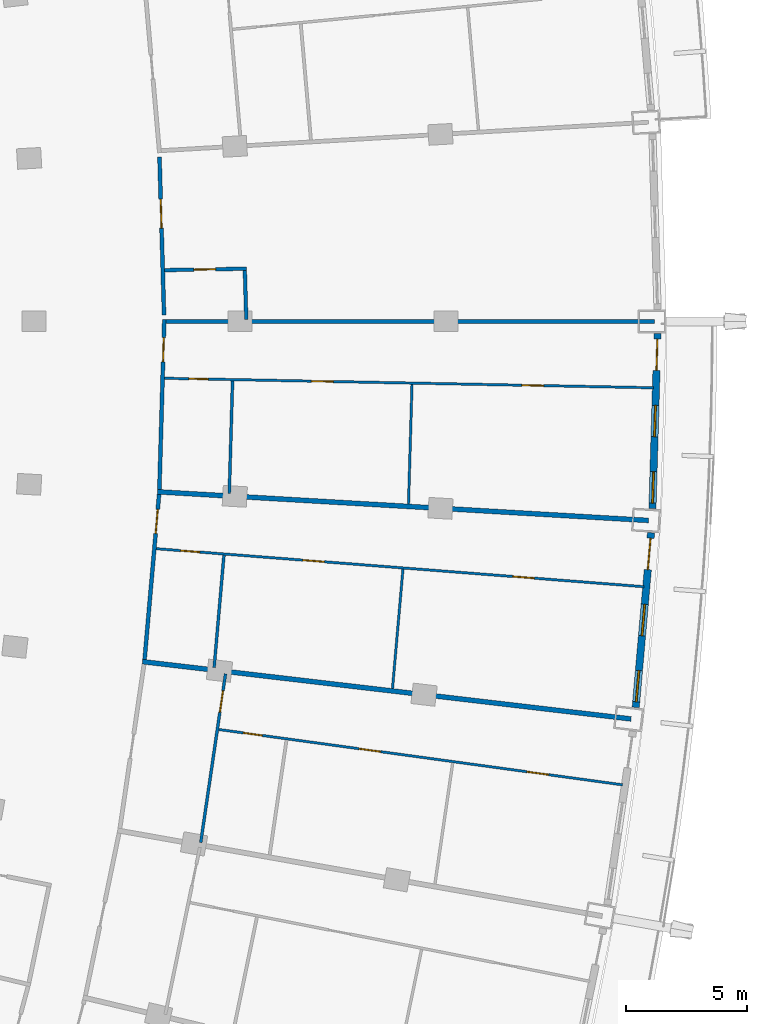
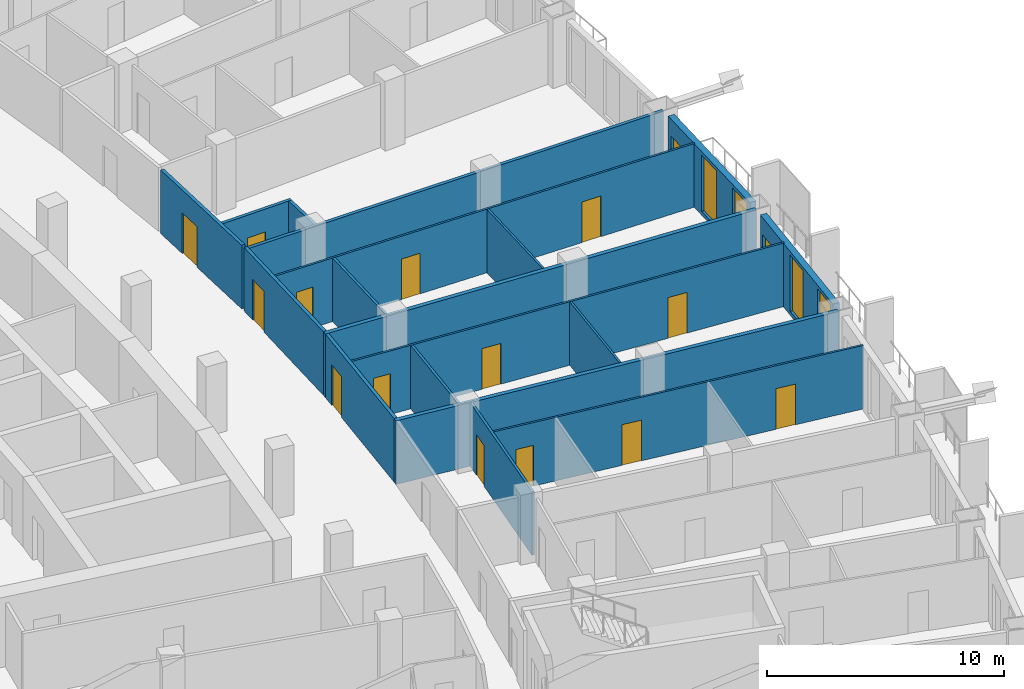
# One storey, part 14 of 23: 18 walls, 16 doors, 4 windows, 20 openings.
"""IFC4 building model written with IfcOpenShell, lengths in metres."""

from ifc_helpers import new_model, si_unit, direction, frame, frame_2d, origin, place, context, subcontext, project, spatial, rectangle, extrude, material, layer, layer_set, type_object, element, fill, save


model = new_model("IFC4")

# Units and contexts
model_context = context("Model", 3, precision=1e-05, world=origin(), true_north=direction((0.0, 1.0)))
body_context = subcontext(model_context, "Body", "Model", "MODEL_VIEW")
ifc_project = project(units=[si_unit("LENGTHUNIT", "METRE"), si_unit("AREAUNIT", "SQUARE_METRE"), si_unit("VOLUMEUNIT", "CUBIC_METRE"), si_unit("PLANEANGLEUNIT", "RADIAN"), si_unit("MASSUNIT", "GRAM", prefix="KILO")], contexts=[model_context])

# Site, building, storey
site_placement = place(None, origin())
site = spatial("IfcSite", under=ifc_project, at=site_placement, CompositionType="ELEMENT")
building_placement = place(site_placement, origin())
building = spatial("IfcBuilding", under=site, at=building_placement, Name="Alderwake Tower", CompositionType="ELEMENT")
storey_placement = place(building_placement, frame((0.0, 0.0, 100.39990234375)))
storey = spatial("IfcBuildingStorey", under=building, at=storey_placement, Name="L24", CompositionType="ELEMENT", Elevation=100.39990234375)

# Wall, opening, door
ifc_material_1 = material(Name="Gypsum board on metal studs, rated")
ifc_layer_1 = layer(ifc_material_1, 0.159912109375)
ifc_layer_set_1 = layer_set([ifc_layer_1], Name="Corridor wall 160")
wall_type_1 = type_object("IfcWallType", Name="Corridor wall 160", PredefinedType="PARTITIONING", material=ifc_layer_set_1)
wall_1_placement = place(storey_placement, frame((40.986328125, 53.834228515625, 0.0), z_axis=(0.0, 0.0, 1.0), x_axis=(-0.087448731147, -0.996169021512, 0.0)))
wall_1 = element("IfcWall", 1, at=wall_1_placement, inside=storey, type_object=wall_type_1, Name="WL/L24/W40", PredefinedType="PARTITIONING", context=body_context, shape_type="SweptSolid", body=[
    extrude(rectangle(XDim=6.867919921875, YDim=0.159912109375, at=frame_2d((3.43408203125, 0.0))), origin(), (0.0, 0.0, 1.0), 3.280029296875),
])
opening_1_placement = place(wall_1_placement, frame((0.628173828125, 0.0, 0.0)))
opening_1 = element("IfcOpeningElement", 2, at=opening_1_placement, cuts=wall_1, Name="Opening R06-U07.2", PredefinedType="OPENING", context=body_context, shape_type="SweptSolid", body=[
    extrude(rectangle(XDim=1.0, YDim=2.10009765625, at=frame_2d((0.5, 1.050048828125))), frame((0.0, 0.08984375, 0.0), z_axis=(0.0, -1.0, 0.0), x_axis=(1.0, 0.0, 0.0)), (0.0, 0.0, 1.0), 0.179931640625),
])
ifc_material_2 = material(Name="Solid timber leaf in steel frame", Category="steel")
door_type_1 = type_object("IfcDoorType", Name="Flat entrance door 1000 fire-rated", OperationType="SINGLE_SWING_LEFT", PredefinedType="DOOR", material=ifc_material_2)
door_1_placement = place(opening_1_placement, origin())
door_1 = element("IfcDoor", 3, at=door_1_placement, inside=storey, type_object=door_type_1, Name="DR/L24/U07.2", OperationType="SINGLE_SWING_LEFT", OverallHeight=2.10009765625, OverallWidth=1.0, PredefinedType="DOOR", context=body_context, shape_type="SweptSolid", body=[
    extrude(rectangle(XDim=1.0, YDim=2.10009765625, at=frame_2d((0.5, 1.050048828125))), frame((0.0, 0.02490234375, 0.0), z_axis=(0.0, -1.0, 0.0), x_axis=(1.0, 0.0, 0.0)), (0.0, 0.0, 1.0), 0.050048828125),
])
fill(opening_1, door_1)

wall_2_placement = place(storey_placement, frame((41.201416015625, 61.0791015625, 0.0), z_axis=(0.0, 0.0, 1.0), x_axis=(-0.028889070526, -0.999582623701, 0.0)))
wall_2 = element("IfcWall", 4, at=wall_2_placement, inside=storey, type_object=wall_type_1, Name="WL/L24/W41", PredefinedType="PARTITIONING", context=body_context, shape_type="SweptSolid", body=[
    extrude(rectangle(XDim=7.048095703125, YDim=0.159912109375, at=frame_2d((3.52392578125, 0.0))), origin(), (0.0, 0.0, 1.0), 3.280029296875),
])
opening_2_placement = place(wall_2_placement, frame((0.757080078125, 0.0, 0.0)))
opening_2 = element("IfcOpeningElement", 5, at=opening_2_placement, cuts=wall_2, Name="Opening R06-U08.2", PredefinedType="OPENING", context=body_context, shape_type="SweptSolid", body=[
    extrude(rectangle(XDim=1.0, YDim=2.10009765625, at=frame_2d((0.5, 1.050048828125))), frame((0.0, 0.08984375, 0.0), z_axis=(0.0, -1.0, 0.0), x_axis=(1.0, 0.0, 0.0)), (0.0, 0.0, 1.0), 0.179931640625),
])
door_2_placement = place(opening_2_placement, origin())
door_2 = element("IfcDoor", 6, at=door_2_placement, inside=storey, type_object=door_type_1, Name="DR/L24/U08.2", OperationType="SINGLE_SWING_LEFT", OverallHeight=2.10009765625, OverallWidth=1.0, PredefinedType="DOOR", context=body_context, shape_type="SweptSolid", body=[
    extrude(rectangle(XDim=1.0, YDim=2.10009765625, at=frame_2d((0.5, 1.050048828125))), frame((0.0, 0.02490234375, 0.0), z_axis=(0.0, -1.0, 0.0), x_axis=(1.0, 0.0, 0.0)), (0.0, 0.0, 1.0), 0.050048828125),
])
fill(opening_2, door_2)

wall_3_placement = place(storey_placement, frame((41.002685546875, 67.80029296875, 0.0), z_axis=(0.0, 0.0, 1.0), x_axis=(0.02886788617, -0.999583235728, 0.0)))
wall_3 = element("IfcWall", 7, at=wall_3_placement, inside=storey, type_object=wall_type_1, Name="WL/L24/W43", PredefinedType="PARTITIONING", context=body_context, shape_type="SweptSolid", body=[
    extrude(rectangle(XDim=6.537353515625, YDim=0.159912109375, at=frame_2d((3.2685546875, 0.0))), origin(), (0.0, 0.0, 1.0), 3.280029296875),
])
opening_3_placement = place(wall_3_placement, frame((1.7412109375, 0.0, 0.0)))
opening_3 = element("IfcOpeningElement", 8, at=opening_3_placement, cuts=wall_3, Name="Opening R06-AM1.1", PredefinedType="OPENING", context=body_context, shape_type="SweptSolid", body=[
    extrude(rectangle(XDim=1.199951171875, YDim=2.10009765625, at=frame_2d((0.60009765625, 1.050048828125))), frame((0.0, 0.08984375, 0.0), z_axis=(0.0, -1.0, 0.0), x_axis=(1.0, 0.0, 0.0)), (0.0, 0.0, 1.0), 0.179931640625),
])
ifc_material_3 = material(Name="Steel-framed fire door leaf", Category="steel")
door_type_2 = type_object("IfcDoorType", Name="Lobby door 1200 fire-rated", OperationType="SINGLE_SWING_LEFT", PredefinedType="DOOR", material=ifc_material_3)
door_3_placement = place(opening_3_placement, origin())
door_3 = element("IfcDoor", 9, at=door_3_placement, inside=storey, type_object=door_type_2, Name="DR/L24/AM1.1", OperationType="SINGLE_SWING_LEFT", OverallHeight=2.10009765625, OverallWidth=1.199951171875, PredefinedType="DOOR", context=body_context, shape_type="SweptSolid", body=[
    extrude(rectangle(XDim=1.199951171875, YDim=2.10009765625, at=frame_2d((0.60009765625, 1.050048828125))), frame((0.0, 0.02490234375, 0.0), z_axis=(0.0, -1.0, 0.0), x_axis=(1.0, 0.0, 0.0)), (0.0, 0.0, 1.0), 0.050048828125),
])
fill(opening_3, door_3)

# Wall
wall_4_placement = place(storey_placement, frame((61.5, 60.9990234375, 0.0), z_axis=(0.0, 0.0, 1.0), x_axis=(-1.0, 0.0, 0.0)))
element("IfcWall", 10, at=wall_4_placement, inside=storey, type_object=wall_type_1, Name="WL/L24/W45", PredefinedType="PARTITIONING", context=body_context, shape_type="SweptSolid", body=[
    extrude(rectangle(XDim=20.220947265625, YDim=0.159912109375, at=frame_2d((10.1103515625, 0.0))), origin(), (0.0, 0.0, 1.0), 3.280029296875),
])

# Wall, openings, door, windows
ifc_material_4 = material(Name="Precast concrete C50/60 spandrel panel", Category="concrete")
ifc_layer_2 = layer(ifc_material_4, 0.300048828125)
ifc_layer_set_2 = layer_set([ifc_layer_2], Name="External wall EW1 Precast concrete C50/60 spandrel")
wall_type_2 = type_object("IfcWallType", Name="External wall EW1 Precast concrete C50/60 spandrel", PredefinedType="SOLIDWALL", material=ifc_layer_set_2)
wall_5_placement = place(storey_placement, frame((60.730712890625, 45.008544921875, 0.0), z_axis=(0.0, 0.0, 1.0), x_axis=(0.087383747715, 0.996174723949, 0.0)))
wall_5 = element("IfcWall", 11, at=wall_5_placement, inside=storey, type_object=wall_type_2, Name="External wall 15", PredefinedType="SOLIDWALL", context=body_context, shape_type="SweptSolid", body=[
    extrude(rectangle(XDim=7.26416015625, YDim=0.300048828125, at=frame_2d((3.632080078125, 0.0))), origin(), (0.0, 0.0, 1.0), 3.280029296875),
])
opening_4_placement = place(wall_5_placement, frame((0.23291015625, 0.0, 0.199951171875)))
opening_4 = element("IfcOpeningElement", 12, at=opening_4_placement, cuts=wall_5, Name="Opening W1", PredefinedType="OPENING", context=body_context, shape_type="SweptSolid", body=[
    extrude(rectangle(XDim=1.300048828125, YDim=2.89990234375, at=frame_2d((0.64990234375, 1.449951171875))), frame((0.0, 0.159912109375, 0.0), z_axis=(0.0, -1.0, 0.0), x_axis=(1.0, 0.0, 0.0)), (0.0, 0.0, 1.0), 0.320068359375),
])
opening_5_placement = place(wall_5_placement, frame((2.98193359375, 0.0, 0.199951171875)))
opening_5 = element("IfcOpeningElement", 13, at=opening_5_placement, cuts=wall_5, Name="Opening W1", PredefinedType="OPENING", context=body_context, shape_type="SweptSolid", body=[
    extrude(rectangle(XDim=1.300048828125, YDim=2.89990234375, at=frame_2d((0.64990234375, 1.449951171875))), frame((0.0, 0.159912109375, 0.0), z_axis=(0.0, -1.0, 0.0), x_axis=(1.0, 0.0, 0.0)), (0.0, 0.0, 1.0), 0.320068359375),
])
opening_6_placement = place(wall_5_placement, frame((5.731201171875, 0.0, 0.0)))
opening_6 = element("IfcOpeningElement", 14, at=opening_6_placement, cuts=wall_5, Name="Opening D06", PredefinedType="OPENING", context=body_context, shape_type="SweptSolid", body=[
    extrude(rectangle(XDim=1.300048828125, YDim=2.39990234375, at=frame_2d((0.64990234375, 1.199951171875))), frame((0.0, 0.159912109375, 0.0), z_axis=(0.0, -1.0, 0.0), x_axis=(1.0, 0.0, 0.0)), (0.0, 0.0, 1.0), 0.320068359375),
])
ifc_material_5 = material(Name="Bronze tinted glass in aluminium frame", Category="aluminium")
door_type_3 = type_object("IfcDoorType", Name="Balcony door BD sliding", OperationType="SLIDING_TO_LEFT", PredefinedType="DOOR", material=ifc_material_5)
door_4_placement = place(opening_6_placement, origin())
door_4 = element("IfcDoor", 15, at=door_4_placement, inside=storey, type_object=door_type_3, Name="Door D06", OperationType="SLIDING_TO_LEFT", OverallHeight=2.39990234375, OverallWidth=1.300048828125, PredefinedType="DOOR", context=body_context, shape_type="SweptSolid", body=[
    extrude(rectangle(XDim=1.300048828125, YDim=2.39990234375, at=frame_2d((0.64990234375, 1.199951171875))), frame((0.0, 0.02490234375, 0.0), z_axis=(0.0, -1.0, 0.0), x_axis=(1.0, 0.0, 0.0)), (0.0, 0.0, 1.0), 0.050048828125),
])
fill(opening_6, door_4)
ifc_material_6 = material(Name="Bronze tinted glass in aluminium frame", Category="aluminium")
window_type = type_object("IfcWindowType", Name="Window W1 tall fixed and vent", PartitioningType="DOUBLE_PANEL_VERTICAL", PredefinedType="WINDOW", material=ifc_material_6)
window_1_placement = place(opening_4_placement, origin())
window_1 = element("IfcWindow", 16, at=window_1_placement, inside=storey, type_object=window_type, Name="Window W1 tall fixed and vent", OverallHeight=2.89990234375, OverallWidth=1.300048828125, PartitioningType="DOUBLE_PANEL_VERTICAL", PredefinedType="WINDOW", context=body_context, shape_type="SweptSolid", body=[
    extrude(rectangle(XDim=1.300048828125, YDim=2.89990234375, at=frame_2d((0.64990234375, 1.449951171875))), frame((0.0, 0.030029296875, 0.0), z_axis=(0.0, -1.0, 0.0), x_axis=(1.0, 0.0, 0.0)), (0.0, 0.0, 1.0), 0.06005859375),
])
fill(opening_4, window_1)
window_2_placement = place(opening_5_placement, origin())
window_2 = element("IfcWindow", 17, at=window_2_placement, inside=storey, type_object=window_type, Name="Window W1 tall fixed and vent", OverallHeight=2.89990234375, OverallWidth=1.300048828125, PartitioningType="DOUBLE_PANEL_VERTICAL", PredefinedType="WINDOW", context=body_context, shape_type="SweptSolid", body=[
    extrude(rectangle(XDim=1.300048828125, YDim=2.89990234375, at=frame_2d((0.64990234375, 1.449951171875))), frame((0.0, 0.030029296875, 0.0), z_axis=(0.0, -1.0, 0.0), x_axis=(1.0, 0.0, 0.0)), (0.0, 0.0, 1.0), 0.06005859375),
])
fill(opening_5, window_2)

wall_6_placement = place(storey_placement, frame((61.423583984375, 53.240478515625, 0.0), z_axis=(0.0, 0.0, 1.0), x_axis=(0.029172877937, 0.999574381021, 0.0)))
wall_6 = element("IfcWall", 18, at=wall_6_placement, inside=storey, type_object=wall_type_2, Name="External wall 16", PredefinedType="SOLIDWALL", context=body_context, shape_type="SweptSolid", body=[
    extrude(rectangle(XDim=7.26416015625, YDim=0.300048828125, at=frame_2d((3.632080078125, 0.0))), origin(), (0.0, 0.0, 1.0), 3.280029296875),
])
opening_7_placement = place(wall_6_placement, frame((0.23291015625, 0.0, 0.199951171875)))
opening_7 = element("IfcOpeningElement", 19, at=opening_7_placement, cuts=wall_6, Name="Opening W1", PredefinedType="OPENING", context=body_context, shape_type="SweptSolid", body=[
    extrude(rectangle(XDim=1.300048828125, YDim=2.89990234375, at=frame_2d((0.64990234375, 1.449951171875))), frame((0.0, 0.159912109375, 0.0), z_axis=(0.0, -1.0, 0.0), x_axis=(1.0, 0.0, 0.0)), (0.0, 0.0, 1.0), 0.320068359375),
])
opening_8_placement = place(wall_6_placement, frame((2.98193359375, 0.0, 0.199951171875)))
opening_8 = element("IfcOpeningElement", 20, at=opening_8_placement, cuts=wall_6, Name="Opening W1", PredefinedType="OPENING", context=body_context, shape_type="SweptSolid", body=[
    extrude(rectangle(XDim=1.300048828125, YDim=2.89990234375, at=frame_2d((0.64990234375, 1.449951171875))), frame((0.0, 0.159912109375, 0.0), z_axis=(0.0, -1.0, 0.0), x_axis=(1.0, 0.0, 0.0)), (0.0, 0.0, 1.0), 0.320068359375),
])
opening_9_placement = place(wall_6_placement, frame((5.731201171875, 0.0, 0.0)))
opening_9 = element("IfcOpeningElement", 21, at=opening_9_placement, cuts=wall_6, Name="Opening D07", PredefinedType="OPENING", context=body_context, shape_type="SweptSolid", body=[
    extrude(rectangle(XDim=1.300048828125, YDim=2.39990234375, at=frame_2d((0.64990234375, 1.199951171875))), frame((0.0, 0.159912109375, 0.0), z_axis=(0.0, -1.0, 0.0), x_axis=(1.0, 0.0, 0.0)), (0.0, 0.0, 1.0), 0.320068359375),
])
door_5_placement = place(opening_9_placement, origin())
door_5 = element("IfcDoor", 22, at=door_5_placement, inside=storey, type_object=door_type_3, Name="Door D07", OperationType="SLIDING_TO_LEFT", OverallHeight=2.39990234375, OverallWidth=1.300048828125, PredefinedType="DOOR", context=body_context, shape_type="SweptSolid", body=[
    extrude(rectangle(XDim=1.300048828125, YDim=2.39990234375, at=frame_2d((0.64990234375, 1.199951171875))), frame((0.0, 0.02490234375, 0.0), z_axis=(0.0, -1.0, 0.0), x_axis=(1.0, 0.0, 0.0)), (0.0, 0.0, 1.0), 0.050048828125),
])
fill(opening_9, door_5)
window_3_placement = place(opening_7_placement, origin())
window_3 = element("IfcWindow", 23, at=window_3_placement, inside=storey, type_object=window_type, Name="Window W1 tall fixed and vent", OverallHeight=2.89990234375, OverallWidth=1.300048828125, PartitioningType="DOUBLE_PANEL_VERTICAL", PredefinedType="WINDOW", context=body_context, shape_type="SweptSolid", body=[
    extrude(rectangle(XDim=1.300048828125, YDim=2.89990234375, at=frame_2d((0.64990234375, 1.449951171875))), frame((0.0, 0.030029296875, 0.0), z_axis=(0.0, -1.0, 0.0), x_axis=(1.0, 0.0, 0.0)), (0.0, 0.0, 1.0), 0.06005859375),
])
fill(opening_7, window_3)
window_4_placement = place(opening_8_placement, origin())
window_4 = element("IfcWindow", 24, at=window_4_placement, inside=storey, type_object=window_type, Name="Window W1 tall fixed and vent", OverallHeight=2.89990234375, OverallWidth=1.300048828125, PartitioningType="DOUBLE_PANEL_VERTICAL", PredefinedType="WINDOW", context=body_context, shape_type="SweptSolid", body=[
    extrude(rectangle(XDim=1.300048828125, YDim=2.89990234375, at=frame_2d((0.64990234375, 1.449951171875))), frame((0.0, 0.030029296875, 0.0), z_axis=(0.0, -1.0, 0.0), x_axis=(1.0, 0.0, 0.0)), (0.0, 0.0, 1.0), 0.06005859375),
])
fill(opening_8, window_4)

# Walls
ifc_material_7 = material(Name="Dense block masonry wall", Category="masonry")
ifc_layer_3 = layer(ifc_material_7, 0.199951171875)
ifc_layer_set_3 = layer_set([ifc_layer_3], Name="Party wall 200")
wall_type_3 = type_object("IfcWallType", Name="Party wall 200", PredefinedType="SOLIDWALL", material=ifc_layer_set_3)
wall_7_placement = place(storey_placement, frame((60.537109375, 44.529052734375, 0.0), z_axis=(0.0, 0.0, 1.0), x_axis=(-0.99319510115, 0.11646240188, 0.0)))
element("IfcWall", 25, at=wall_7_placement, inside=storey, type_object=wall_type_3, Name="WL/L24/W11", PredefinedType="SOLIDWALL", context=body_context, shape_type="SweptSolid", body=[
    extrude(rectangle(XDim=20.378173828125, YDim=0.199951171875, at=frame_2d((10.18896484375, 0.0))), origin(), (0.0, 0.0, 1.0), 3.280029296875),
])
wall_8_placement = place(storey_placement, frame((61.260009765625, 52.751953125, 0.0), z_axis=(0.0, 0.0, 1.0), x_axis=(-0.998303004761, 0.058233243807, 0.0)))
element("IfcWall", 26, at=wall_8_placement, inside=storey, type_object=wall_type_3, Name="WL/L24/W13", PredefinedType="SOLIDWALL", context=body_context, shape_type="SweptSolid", body=[
    extrude(rectangle(XDim=20.379638671875, YDim=0.199951171875, at=frame_2d((10.18994140625, 0.0))), origin(), (0.0, 0.0, 1.0), 3.280029296875),
])

# Wall, opening, door
ifc_material_8 = material(Name="Gypsum shaft wall system, rated")
ifc_layer_4 = layer(ifc_material_8, 0.14990234375)
ifc_layer_set_4 = layer_set([ifc_layer_4], Name="Riser and shaft wall 150")
wall_type_4 = type_object("IfcWallType", Name="Riser and shaft wall 150", PredefinedType="PARTITIONING", material=ifc_layer_set_4)
wall_9_placement = place(storey_placement, frame((44.610107421875, 63.181396484375, 0.0), z_axis=(0.0, 0.0, 1.0), x_axis=(-0.999843204507, -0.017707806214, 0.0)))
wall_9 = element("IfcWall", 27, at=wall_9_placement, inside=storey, type_object=wall_type_4, Name="WL/L24/W16", PredefinedType="PARTITIONING", context=body_context, shape_type="SweptSolid", body=[
    extrude(rectangle(XDim=3.3916015625, YDim=0.14990234375, at=frame_2d((1.69580078125, 0.0))), origin(), (0.0, 0.0, 1.0), 3.280029296875),
])
opening_10_placement = place(wall_9_placement, frame((1.28271484375, 0.0, 0.0)))
opening_10 = element("IfcOpeningElement", 28, at=opening_10_placement, cuts=wall_9, Name="Opening R06-AM1.2", PredefinedType="OPENING", context=body_context, shape_type="SweptSolid", body=[
    extrude(rectangle(XDim=0.89990234375, YDim=2.10009765625, at=frame_2d((0.449951171875, 1.050048828125))), frame((0.0, 0.0849609375, 0.0), z_axis=(0.0, -1.0, 0.0), x_axis=(1.0, 0.0, 0.0)), (0.0, 0.0, 1.0), 0.169921875),
])
ifc_material_9 = material(Name="Painted timber leaf", Category="wood")
door_type_4 = type_object("IfcDoorType", Name="Room door 900", OperationType="SINGLE_SWING_LEFT", PredefinedType="DOOR", material=ifc_material_9)
door_6_placement = place(opening_10_placement, origin())
door_6 = element("IfcDoor", 29, at=door_6_placement, inside=storey, type_object=door_type_4, Name="DR/L24/AM1.2", OperationType="SINGLE_SWING_LEFT", OverallHeight=2.10009765625, OverallWidth=0.89990234375, PredefinedType="DOOR", context=body_context, shape_type="SweptSolid", body=[
    extrude(rectangle(XDim=0.89990234375, YDim=2.10009765625, at=frame_2d((0.449951171875, 1.050048828125))), frame((0.0, 0.02490234375, 0.0), z_axis=(0.0, -1.0, 0.0), x_axis=(1.0, 0.0, 0.0)), (0.0, 0.0, 1.0), 0.050048828125),
])
fill(opening_10, door_6)

# Wall
wall_10_placement = place(storey_placement, frame((44.5986328125, 61.0791015625, 0.0), z_axis=(0.0, 0.0, 1.0), x_axis=(-0.030234424158, 0.999542835298, 0.0)))
element("IfcWall", 30, at=wall_10_placement, inside=storey, type_object=wall_type_4, Name="WL/L24/W17", PredefinedType="PARTITIONING", context=body_context, shape_type="SweptSolid", body=[
    extrude(rectangle(XDim=2.02685546875, YDim=0.14990234375, at=frame_2d((1.013427734375, 0.0))), origin(), (0.0, 0.0, 1.0), 3.280029296875),
])

# Wall, openings, doors
ifc_material_10 = material(Name="Gypsum board on metal studs")
ifc_layer_5 = layer(ifc_material_10, 0.10009765625)
ifc_layer_set_5 = layer_set([ifc_layer_5], Name="Unit partition 100")
wall_type_5 = type_object("IfcWallType", Name="Unit partition 100", PredefinedType="PARTITIONING", material=ifc_layer_set_5)
wall_11_placement = place(storey_placement, frame((61.068115234375, 50.007080078125, 0.0), z_axis=(0.0, 0.0, 1.0), x_axis=(-0.996975284787, 0.077719248089, 0.0)))
wall_11 = element("IfcWall", 31, at=wall_11_placement, inside=storey, type_object=wall_type_5, Name="WL/L24/W73", PredefinedType="PARTITIONING", context=body_context, shape_type="SweptSolid", body=[
    extrude(rectangle(XDim=20.261474609375, YDim=0.10009765625, at=frame_2d((10.130859375, 0.0))), origin(), (0.0, 0.0, 1.0), 3.280029296875),
])
opening_11_placement = place(wall_11_placement, frame((13.2744140625, 0.0, 0.0)))
opening_11 = element("IfcOpeningElement", 32, at=opening_11_placement, cuts=wall_11, Name="Opening R06-U07.1", PredefinedType="OPENING", context=body_context, shape_type="SweptSolid", body=[
    extrude(rectangle(XDim=0.89990234375, YDim=2.10009765625, at=frame_2d((0.449951171875, 1.050048828125))), frame((0.0, 0.06005859375, 0.0), z_axis=(0.0, -1.0, 0.0), x_axis=(1.0, 0.0, 0.0)), (0.0, 0.0, 1.0), 0.1201171875),
])
opening_12_placement = place(wall_11_placement, frame((18.4521484375, 0.0, 0.0)))
opening_12 = element("IfcOpeningElement", 33, at=opening_12_placement, cuts=wall_11, Name="Opening R06-U07.3", PredefinedType="OPENING", context=body_context, shape_type="SweptSolid", body=[
    extrude(rectangle(XDim=0.800048828125, YDim=2.10009765625, at=frame_2d((0.39990234375, 1.050048828125))), frame((0.0, 0.06005859375, 0.0), z_axis=(0.0, -1.0, 0.0), x_axis=(1.0, 0.0, 0.0)), (0.0, 0.0, 1.0), 0.1201171875),
])
opening_13_placement = place(wall_11_placement, frame((4.552978515625, 0.0, 0.0)))
opening_13 = element("IfcOpeningElement", 34, at=opening_13_placement, cuts=wall_11, Name="Opening R06-U07.4", PredefinedType="OPENING", context=body_context, shape_type="SweptSolid", body=[
    extrude(rectangle(XDim=0.89990234375, YDim=2.10009765625, at=frame_2d((0.449951171875, 1.050048828125))), frame((0.0, 0.06005859375, 0.0), z_axis=(0.0, -1.0, 0.0), x_axis=(1.0, 0.0, 0.0)), (0.0, 0.0, 1.0), 0.1201171875),
])
ifc_material_11 = material(Name="Painted timber leaf", Category="wood")
door_type_5 = type_object("IfcDoorType", Name="Bathroom door 800", OperationType="SINGLE_SWING_LEFT", PredefinedType="DOOR", material=ifc_material_11)
door_7_placement = place(opening_12_placement, origin())
door_7 = element("IfcDoor", 35, at=door_7_placement, inside=storey, type_object=door_type_5, Name="DR/L24/U07.3", OperationType="SINGLE_SWING_LEFT", OverallHeight=2.10009765625, OverallWidth=0.800048828125, PredefinedType="DOOR", context=body_context, shape_type="SweptSolid", body=[
    extrude(rectangle(XDim=0.800048828125, YDim=2.10009765625, at=frame_2d((0.39990234375, 1.050048828125))), frame((0.0, 0.02490234375, 0.0), z_axis=(0.0, -1.0, 0.0), x_axis=(1.0, 0.0, 0.0)), (0.0, 0.0, 1.0), 0.050048828125),
])
fill(opening_12, door_7)
door_8_placement = place(opening_11_placement, origin())
door_8 = element("IfcDoor", 36, at=door_8_placement, inside=storey, type_object=door_type_4, Name="DR/L24/U07.1", OperationType="SINGLE_SWING_LEFT", OverallHeight=2.10009765625, OverallWidth=0.89990234375, PredefinedType="DOOR", context=body_context, shape_type="SweptSolid", body=[
    extrude(rectangle(XDim=0.89990234375, YDim=2.10009765625, at=frame_2d((0.449951171875, 1.050048828125))), frame((0.0, 0.02490234375, 0.0), z_axis=(0.0, -1.0, 0.0), x_axis=(1.0, 0.0, 0.0)), (0.0, 0.0, 1.0), 0.050048828125),
])
fill(opening_11, door_8)
door_9_placement = place(opening_13_placement, origin())
door_9 = element("IfcDoor", 37, at=door_9_placement, inside=storey, type_object=door_type_4, Name="DR/L24/U07.4", OperationType="SINGLE_SWING_LEFT", OverallHeight=2.10009765625, OverallWidth=0.89990234375, PredefinedType="DOOR", context=body_context, shape_type="SweptSolid", body=[
    extrude(rectangle(XDim=0.89990234375, YDim=2.10009765625, at=frame_2d((0.449951171875, 1.050048828125))), frame((0.0, 0.02490234375, 0.0), z_axis=(0.0, -1.0, 0.0), x_axis=(1.0, 0.0, 0.0)), (0.0, 0.0, 1.0), 0.050048828125),
])
fill(opening_13, door_9)

wall_12_placement = place(storey_placement, frame((61.469970703125, 58.248046875, 0.0), z_axis=(0.0, 0.0, 1.0), x_axis=(-0.999810681734, 0.019457664048, 0.0)))
wall_12 = element("IfcWall", 38, at=wall_12_placement, inside=storey, type_object=wall_type_5, Name="WL/L24/W74", PredefinedType="PARTITIONING", context=body_context, shape_type="SweptSolid", body=[
    extrude(rectangle(XDim=20.263916015625, YDim=0.10009765625, at=frame_2d((10.1318359375, 0.0))), origin(), (0.0, 0.0, 1.0), 3.280029296875),
])
opening_14_placement = place(wall_12_placement, frame((13.275390625, 0.0, 0.0)))
opening_14 = element("IfcOpeningElement", 39, at=opening_14_placement, cuts=wall_12, Name="Opening R06-U08.1", PredefinedType="OPENING", context=body_context, shape_type="SweptSolid", body=[
    extrude(rectangle(XDim=0.89990234375, YDim=2.10009765625, at=frame_2d((0.449951171875, 1.050048828125))), frame((0.0, 0.06005859375, 0.0), z_axis=(0.0, -1.0, 0.0), x_axis=(1.0, 0.0, 0.0)), (0.0, 0.0, 1.0), 0.1201171875),
])
opening_15_placement = place(wall_12_placement, frame((18.453857421875, 0.0, 0.0)))
opening_15 = element("IfcOpeningElement", 40, at=opening_15_placement, cuts=wall_12, Name="Opening R06-U08.3", PredefinedType="OPENING", context=body_context, shape_type="SweptSolid", body=[
    extrude(rectangle(XDim=0.800048828125, YDim=2.10009765625, at=frame_2d((0.39990234375, 1.050048828125))), frame((0.0, 0.06005859375, 0.0), z_axis=(0.0, -1.0, 0.0), x_axis=(1.0, 0.0, 0.0)), (0.0, 0.0, 1.0), 0.1201171875),
])
opening_16_placement = place(wall_12_placement, frame((4.5537109375, 0.0, 0.0)))
opening_16 = element("IfcOpeningElement", 41, at=opening_16_placement, cuts=wall_12, Name="Opening R06-U08.4", PredefinedType="OPENING", context=body_context, shape_type="SweptSolid", body=[
    extrude(rectangle(XDim=0.89990234375, YDim=2.10009765625, at=frame_2d((0.449951171875, 1.050048828125))), frame((0.0, 0.06005859375, 0.0), z_axis=(0.0, -1.0, 0.0), x_axis=(1.0, 0.0, 0.0)), (0.0, 0.0, 1.0), 0.1201171875),
])
door_10_placement = place(opening_15_placement, origin())
door_10 = element("IfcDoor", 42, at=door_10_placement, inside=storey, type_object=door_type_5, Name="DR/L24/U08.3", OperationType="SINGLE_SWING_LEFT", OverallHeight=2.10009765625, OverallWidth=0.800048828125, PredefinedType="DOOR", context=body_context, shape_type="SweptSolid", body=[
    extrude(rectangle(XDim=0.800048828125, YDim=2.10009765625, at=frame_2d((0.39990234375, 1.050048828125))), frame((0.0, 0.02490234375, 0.0), z_axis=(0.0, -1.0, 0.0), x_axis=(1.0, 0.0, 0.0)), (0.0, 0.0, 1.0), 0.050048828125),
])
fill(opening_15, door_10)
door_11_placement = place(opening_14_placement, origin())
door_11 = element("IfcDoor", 43, at=door_11_placement, inside=storey, type_object=door_type_4, Name="DR/L24/U08.1", OperationType="SINGLE_SWING_LEFT", OverallHeight=2.10009765625, OverallWidth=0.89990234375, PredefinedType="DOOR", context=body_context, shape_type="SweptSolid", body=[
    extrude(rectangle(XDim=0.89990234375, YDim=2.10009765625, at=frame_2d((0.449951171875, 1.050048828125))), frame((0.0, 0.02490234375, 0.0), z_axis=(0.0, -1.0, 0.0), x_axis=(1.0, 0.0, 0.0)), (0.0, 0.0, 1.0), 0.050048828125),
])
fill(opening_14, door_11)
door_12_placement = place(opening_16_placement, origin())
door_12 = element("IfcDoor", 44, at=door_12_placement, inside=storey, type_object=door_type_4, Name="DR/L24/U08.4", OperationType="SINGLE_SWING_LEFT", OverallHeight=2.10009765625, OverallWidth=0.89990234375, PredefinedType="DOOR", context=body_context, shape_type="SweptSolid", body=[
    extrude(rectangle(XDim=0.89990234375, YDim=2.10009765625, at=frame_2d((0.449951171875, 1.050048828125))), frame((0.0, 0.02490234375, 0.0), z_axis=(0.0, -1.0, 0.0), x_axis=(1.0, 0.0, 0.0)), (0.0, 0.0, 1.0), 0.050048828125),
])
fill(opening_16, door_12)

wall_13_placement = place(storey_placement, frame((60.18896484375, 41.799072265625, 0.0), z_axis=(0.0, 0.0, 1.0), x_axis=(-0.99073825803, 0.135785507606, 0.0)))
wall_13 = element("IfcWall", 45, at=wall_13_placement, inside=storey, type_object=wall_type_5, Name="WL/L24/W77", PredefinedType="PARTITIONING", context=body_context, shape_type="SweptSolid", body=[
    extrude(rectangle(XDim=16.885009765625, YDim=0.10009765625, at=frame_2d((8.4423828125, 0.0))), origin(), (0.0, 0.0, 1.0), 3.280029296875),
])
opening_17_placement = place(wall_13_placement, frame((10.12109375, 0.0, 0.0)))
opening_17 = element("IfcOpeningElement", 46, at=opening_17_placement, cuts=wall_13, Name="Opening R06-U06.1", PredefinedType="OPENING", context=body_context, shape_type="SweptSolid", body=[
    extrude(rectangle(XDim=0.89990234375, YDim=2.10009765625, at=frame_2d((0.449951171875, 1.050048828125))), frame((0.0, 0.06005859375, 0.0), z_axis=(0.0, -1.0, 0.0), x_axis=(1.0, 0.0, 0.0)), (0.0, 0.0, 1.0), 0.1201171875),
])
opening_18_placement = place(wall_13_placement, frame((15.0654296875, 0.0, 0.0)))
opening_18 = element("IfcOpeningElement", 47, at=opening_18_placement, cuts=wall_13, Name="Opening R06-U06.4", PredefinedType="OPENING", context=body_context, shape_type="SweptSolid", body=[
    extrude(rectangle(XDim=0.800048828125, YDim=2.10009765625, at=frame_2d((0.39990234375, 1.050048828125))), frame((0.0, 0.06005859375, 0.0), z_axis=(0.0, -1.0, 0.0), x_axis=(1.0, 0.0, 0.0)), (0.0, 0.0, 1.0), 0.1201171875),
])
opening_19_placement = place(wall_13_placement, frame((3.098876953125, 0.0, 0.0)))
opening_19 = element("IfcOpeningElement", 48, at=opening_19_placement, cuts=wall_13, Name="Opening R06-U06.5", PredefinedType="OPENING", context=body_context, shape_type="SweptSolid", body=[
    extrude(rectangle(XDim=0.89990234375, YDim=2.10009765625, at=frame_2d((0.449951171875, 1.050048828125))), frame((0.0, 0.06005859375, 0.0), z_axis=(0.0, -1.0, 0.0), x_axis=(1.0, 0.0, 0.0)), (0.0, 0.0, 1.0), 0.1201171875),
])
door_13_placement = place(opening_18_placement, origin())
door_13 = element("IfcDoor", 49, at=door_13_placement, inside=storey, type_object=door_type_5, Name="DR/L24/U06.4", OperationType="SINGLE_SWING_LEFT", OverallHeight=2.10009765625, OverallWidth=0.800048828125, PredefinedType="DOOR", context=body_context, shape_type="SweptSolid", body=[
    extrude(rectangle(XDim=0.800048828125, YDim=2.10009765625, at=frame_2d((0.39990234375, 1.050048828125))), frame((0.0, 0.02490234375, 0.0), z_axis=(0.0, -1.0, 0.0), x_axis=(1.0, 0.0, 0.0)), (0.0, 0.0, 1.0), 0.050048828125),
])
fill(opening_18, door_13)
door_14_placement = place(opening_17_placement, origin())
door_14 = element("IfcDoor", 50, at=door_14_placement, inside=storey, type_object=door_type_4, Name="DR/L24/U06.1", OperationType="SINGLE_SWING_LEFT", OverallHeight=2.10009765625, OverallWidth=0.89990234375, PredefinedType="DOOR", context=body_context, shape_type="SweptSolid", body=[
    extrude(rectangle(XDim=0.89990234375, YDim=2.10009765625, at=frame_2d((0.449951171875, 1.050048828125))), frame((0.0, 0.02490234375, 0.0), z_axis=(0.0, -1.0, 0.0), x_axis=(1.0, 0.0, 0.0)), (0.0, 0.0, 1.0), 0.050048828125),
])
fill(opening_17, door_14)
door_15_placement = place(opening_19_placement, origin())
door_15 = element("IfcDoor", 51, at=door_15_placement, inside=storey, type_object=door_type_4, Name="DR/L24/U06.5", OperationType="SINGLE_SWING_LEFT", OverallHeight=2.10009765625, OverallWidth=0.89990234375, PredefinedType="DOOR", context=body_context, shape_type="SweptSolid", body=[
    extrude(rectangle(XDim=0.89990234375, YDim=2.10009765625, at=frame_2d((0.449951171875, 1.050048828125))), frame((0.0, 0.02490234375, 0.0), z_axis=(0.0, -1.0, 0.0), x_axis=(1.0, 0.0, 0.0)), (0.0, 0.0, 1.0), 0.050048828125),
])
fill(opening_19, door_15)

# Walls
wall_14_placement = place(storey_placement, frame((50.65478515625, 45.789794921875, 0.0), z_axis=(0.0, 0.0, 1.0), x_axis=(0.087408582497, 0.996172545148, 0.0)))
element("IfcWall", 52, at=wall_14_placement, inside=storey, type_object=wall_type_5, Name="WL/L24/W81", PredefinedType="PARTITIONING", context=body_context, shape_type="SweptSolid", body=[
    extrude(rectangle(XDim=4.96337890625, YDim=0.10009765625, at=frame_2d((2.481689453125, 0.0))), origin(), (0.0, 0.0, 1.0), 3.280029296875),
])
wall_15_placement = place(storey_placement, frame((51.31787109375, 53.430908203125, 0.0), z_axis=(0.0, 0.0, 1.0), x_axis=(0.029310894204, 0.999570343438, 0.0)))
element("IfcWall", 53, at=wall_15_placement, inside=storey, type_object=wall_type_5, Name="WL/L24/W86", PredefinedType="PARTITIONING", context=body_context, shape_type="SweptSolid", body=[
    extrude(rectangle(XDim=4.96435546875, YDim=0.10009765625, at=frame_2d((2.482177734375, 0.0))), origin(), (0.0, 0.0, 1.0), 3.280029296875),
])

# Wall, opening, door
ifc_material_12 = material(Name="Moisture resistant gypsum board on metal studs")
ifc_layer_6 = layer(ifc_material_12, 0.1201171875)
ifc_layer_set_6 = layer_set([ifc_layer_6], Name="Wet room partition 120")
wall_type_6 = type_object("IfcWallType", Name="Wet room partition 120", PredefinedType="PARTITIONING", material=ifc_layer_set_6)
wall_16_placement = place(storey_placement, frame((43.737548828125, 46.39794921875, 0.0), z_axis=(0.0, 0.0, 1.0), x_axis=(-0.145317973425, -0.989385004232, 0.0)))
wall_16 = element("IfcWall", 54, at=wall_16_placement, inside=storey, type_object=wall_type_6, Name="WL/L24/W59", PredefinedType="PARTITIONING", context=body_context, shape_type="SweptSolid", body=[
    extrude(rectangle(XDim=7.06787109375, YDim=0.1201171875, at=frame_2d((3.533935546875, 0.0))), origin(), (0.0, 0.0, 1.0), 3.280029296875),
])
opening_20_placement = place(wall_16_placement, frame((0.71142578125, 0.0, 0.0)))
opening_20 = element("IfcOpeningElement", 55, at=opening_20_placement, cuts=wall_16, Name="Opening R06-U06.3", PredefinedType="OPENING", context=body_context, shape_type="SweptSolid", body=[
    extrude(rectangle(XDim=0.89990234375, YDim=2.10009765625, at=frame_2d((0.449951171875, 1.050048828125))), frame((0.0, 0.070068359375, 0.0), z_axis=(0.0, -1.0, 0.0), x_axis=(1.0, 0.0, 0.0)), (0.0, 0.0, 1.0), 0.14013671875),
])
door_16_placement = place(opening_20_placement, origin())
door_16 = element("IfcDoor", 56, at=door_16_placement, inside=storey, type_object=door_type_4, Name="DR/L24/U06.3", OperationType="SINGLE_SWING_LEFT", OverallHeight=2.10009765625, OverallWidth=0.89990234375, PredefinedType="DOOR", context=body_context, shape_type="SweptSolid", body=[
    extrude(rectangle(XDim=0.89990234375, YDim=2.10009765625, at=frame_2d((0.449951171875, 1.050048828125))), frame((0.0, 0.02490234375, 0.0), z_axis=(0.0, -1.0, 0.0), x_axis=(1.0, 0.0, 0.0)), (0.0, 0.0, 1.0), 0.050048828125),
])
fill(opening_20, door_16)

# Walls
wall_17_placement = place(storey_placement, frame((43.265625, 46.65380859375, 0.0), z_axis=(0.0, 0.0, 1.0), x_axis=(0.087069112872, 0.996202273428, 0.0)))
element("IfcWall", 57, at=wall_17_placement, inside=storey, type_object=wall_type_6, Name="WL/L24/W60", PredefinedType="PARTITIONING", context=body_context, shape_type="SweptSolid", body=[
    extrude(rectangle(XDim=4.67431640625, YDim=0.1201171875, at=frame_2d((2.337158203125, 0.0))), origin(), (0.0, 0.0, 1.0), 3.280029296875),
])
wall_18_placement = place(storey_placement, frame((43.892822265625, 53.865966796875, 0.0), z_axis=(0.0, 0.0, 1.0), x_axis=(0.029256273894, 0.999571943603, 0.0)))
element("IfcWall", 58, at=wall_18_placement, inside=storey, type_object=wall_type_6, Name="WL/L24/W63", PredefinedType="PARTITIONING", context=body_context, shape_type="SweptSolid", body=[
    extrude(rectangle(XDim=4.673095703125, YDim=0.1201171875, at=frame_2d((2.33642578125, 0.0))), origin(), (0.0, 0.0, 1.0), 3.280029296875),
])

save(model, "model.ifc")
